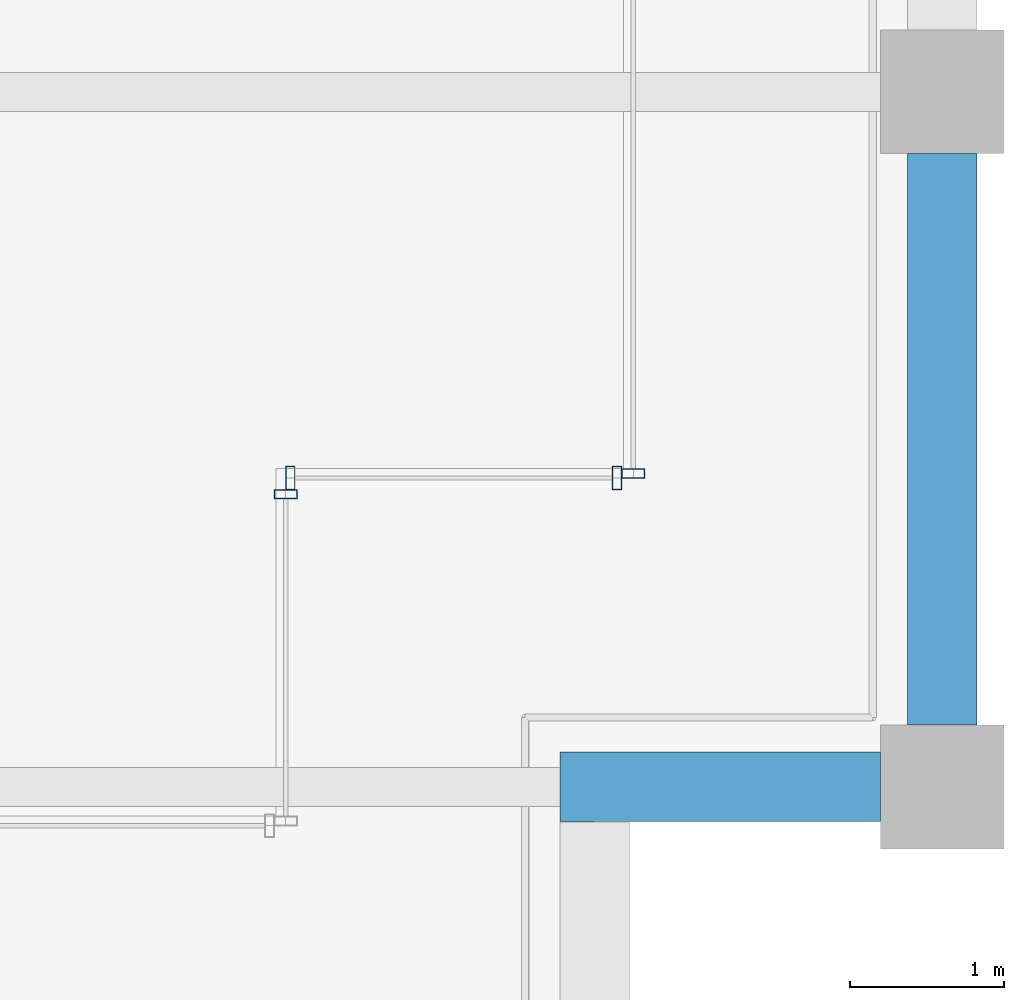
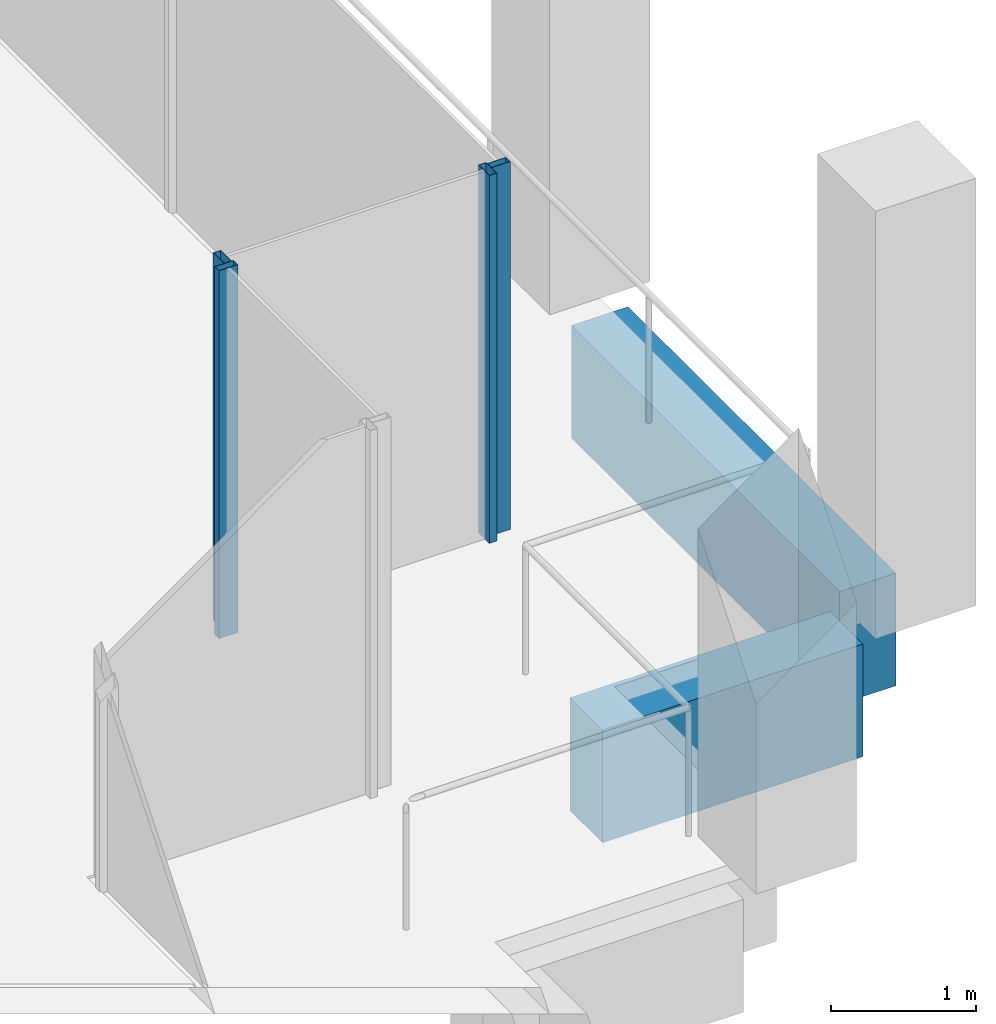
# One storey, part 13 of 30: 4 members, 2 beams, 3 elements without a shape of their own.
"""IFC4 building model written with IfcOpenShell, lengths in metres."""

from ifc_helpers import new_model, si_unit, direction, frame, origin, origin_2d, place, context, subcontext, project, spatial, rectangle, hollow_rectangle, extrude, material, material_profile, profile_set, type_object, element, aggregate, save


model = new_model("IFC4")

# Units and contexts
model_context = context("Model", 3, precision=1e-05, world=origin(), true_north=direction((0.0, 1.0)))
body_context = subcontext(model_context, "Body", "Model", "MODEL_VIEW")
ifc_project = project(units=[si_unit("LENGTHUNIT", "METRE"), si_unit("AREAUNIT", "SQUARE_METRE"), si_unit("VOLUMEUNIT", "CUBIC_METRE"), si_unit("PLANEANGLEUNIT", "RADIAN"), si_unit("MASSUNIT", "GRAM", prefix="KILO")], contexts=[model_context])

# Site, building, storey
site_placement = place(None, origin())
site = spatial("IfcSite", under=ifc_project, at=site_placement, CompositionType="ELEMENT")
building_placement = place(site_placement, origin())
building = spatial("IfcBuilding", under=site, at=building_placement, Name="Altepetl Exchange Towers", CompositionType="ELEMENT")
storey_placement = place(building_placement, frame((0.0, 0.0, 242.39990234375)))
storey = spatial("IfcBuildingStorey", under=building, at=storey_placement, Name="L62", CompositionType="ELEMENT", Elevation=242.39990234375)

# Curtain wall, member
ifc_material_1 = material(Name="Aluminium 6063-T6 glazing", Category="aluminium")
curtain_wall_type = type_object("IfcCurtainWallType", Name="Loggia glazing system", PredefinedType="NOTDEFINED", material=ifc_material_1)
curtain_wall_1_placement = place(storey_placement, origin())
curtain_wall_1 = element("IfcCurtainWall", 1, at=curtain_wall_1_placement, inside=storey, type_object=curtain_wall_type, Name="CW1 run", PredefinedType="NOTDEFINED")
ifc_material_2 = material(Name="Aluminium 6063-T6", Category="aluminium")
ifc_material_profile_1 = material_profile(ifc_material_2, hollow_rectangle(XDim=0.06005859375, YDim=0.14990234375, WallThickness=0.0029296875, at=origin_2d()), Name="Mullion 60x150 aluminium")
ifc_profile_set_1 = profile_set([ifc_material_profile_1], Name="Aluminium 6063-T6")
member_type = type_object("IfcMemberType", Name="Mullion 60x150 aluminium", PredefinedType="MULLION", material=ifc_profile_set_1)
member_1_placement = place(storey_placement, frame((67.75, 33.39501953125, 0.0), z_axis=(0.0, 0.0, 1.0), x_axis=(0.0, 1.0, 0.0)))
member_1 = element("IfcMember", 2, at=member_1_placement, type_object=member_type, Name="MU1 mullion", PredefinedType="MULLION", context=body_context, shape_type="SweptSolid", body=[
    extrude(hollow_rectangle(XDim=0.06005859375, YDim=0.14990234375, WallThickness=0.0029296875, at=origin_2d()), origin(), (0.0, 0.0, 1.0), 3.10009765625),
])
aggregate(curtain_wall_1, [member_1])

# Curtain wall, members
curtain_wall_2_placement = place(storey_placement, origin())
curtain_wall_2 = element("IfcCurtainWall", 3, at=curtain_wall_2_placement, inside=storey, type_object=curtain_wall_type, Name="CW1 run", PredefinedType="NOTDEFINED")
member_2_placement = place(storey_placement, frame((67.780029296875, 33.5, 0.0)))
member_2 = element("IfcMember", 4, at=member_2_placement, type_object=member_type, Name="MU1 mullion", PredefinedType="MULLION", context=body_context, shape_type="SweptSolid", body=[
    extrude(hollow_rectangle(XDim=0.06005859375, YDim=0.14990234375, WallThickness=0.0029296875, at=origin_2d()), origin(), (0.0, 0.0, 1.0), 3.10009765625),
])
member_3_placement = place(storey_placement, frame((69.89501953125, 33.5, 0.0)))
member_3 = element("IfcMember", 5, at=member_3_placement, type_object=member_type, Name="MU1 mullion", PredefinedType="MULLION", context=body_context, shape_type="SweptSolid", body=[
    extrude(hollow_rectangle(XDim=0.06005859375, YDim=0.14990234375, WallThickness=0.0029296875, at=origin_2d()), origin(), (0.0, 0.0, 1.0), 3.10009765625),
])
aggregate(curtain_wall_2, [member_2, member_3])

# Curtain wall, member
curtain_wall_3_placement = place(storey_placement, origin())
curtain_wall_3 = element("IfcCurtainWall", 6, at=curtain_wall_3_placement, inside=storey, type_object=curtain_wall_type, Name="CW1 run", PredefinedType="NOTDEFINED")
member_4_placement = place(storey_placement, frame((70.0, 33.530029296875, 0.0), z_axis=(0.0, 0.0, 1.0), x_axis=(0.0, 1.0, 0.0)))
member_4 = element("IfcMember", 7, at=member_4_placement, type_object=member_type, Name="MU1 mullion", PredefinedType="MULLION", context=body_context, shape_type="SweptSolid", body=[
    extrude(hollow_rectangle(XDim=0.06005859375, YDim=0.14990234375, WallThickness=0.0029296875, at=origin_2d()), origin(), (0.0, 0.0, 1.0), 3.10009765625),
])
aggregate(curtain_wall_3, [member_4])

# Beams
ifc_material_3 = material(Name="Concrete C50/60 precast with cantera amarilla facing", Category="concrete")
ifc_material_profile_2 = material_profile(ifc_material_3, rectangle(XDim=0.449951171875, YDim=0.949951171875, at=origin_2d()), Name="450 x 950")
ifc_profile_set_2 = profile_set([ifc_material_profile_2], Name="Concrete C50/60 precast with cantera amarilla facing")
beam_type = type_object("IfcBeamType", Name="Spandrel beam 450x950 cantera amarilla", PredefinedType="SPANDREL", material=ifc_profile_set_2)
beam_1_placement = place(storey_placement, frame((69.52490234375, 31.5, -0.625), z_axis=(1.0, 0.0, 0.0), x_axis=(0.0, 1.0, 0.0)))
element("IfcBeam", 8, at=beam_1_placement, inside=storey, type_object=beam_type, Name="sp:A:L62:011", PredefinedType="SPANDREL", context=body_context, shape_type="SweptSolid", body=[
    extrude(rectangle(XDim=0.449951171875, YDim=0.949951171875, at=origin_2d()), origin(), (0.0, 0.0, 1.0), 2.0751953125),
])
beam_2_placement = place(storey_placement, frame((72.0, 31.89990234375, -0.625), z_axis=(0.0, 1.0, 0.0), x_axis=(-1.0, 0.0, 0.0)))
element("IfcBeam", 9, at=beam_2_placement, inside=storey, type_object=beam_type, Name="sp:A:L62:012", PredefinedType="SPANDREL", context=body_context, shape_type="SweptSolid", body=[
    extrude(rectangle(XDim=0.449951171875, YDim=0.949951171875, at=origin_2d()), origin(), (0.0, 0.0, 1.0), 3.7001953125),
])

save(model, "model.ifc")
